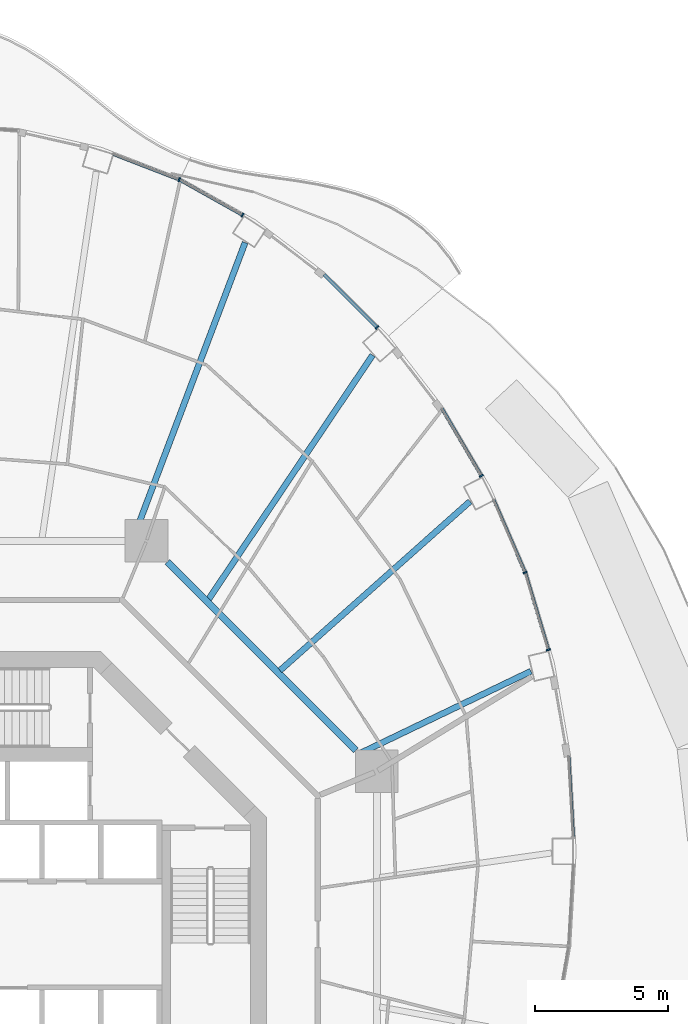
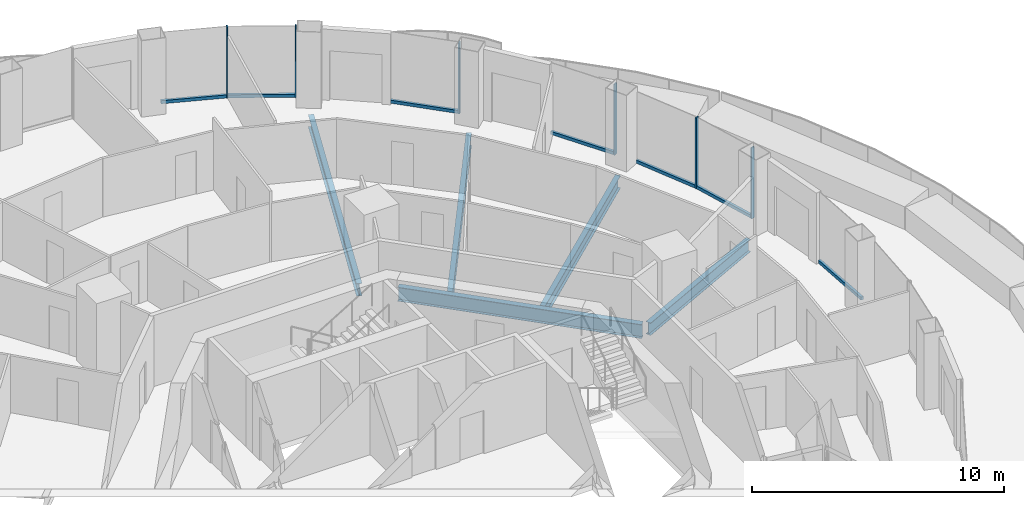
# One storey, part 7 of 18: 13 members, 5 beams, 7 elements without a shape of their own.
"""IFC4 building model written with IfcOpenShell, lengths in metres."""

from ifc_helpers import new_model, si_unit, direction, frame, origin, origin_2d, place, context, subcontext, project, spatial, rectangle, i_section, extrude, material, layer, layer_set, material_profile, profile_set, type_object, element, aggregate, save


model = new_model("IFC4")

# Units and contexts
model_context = context("Model", 3, precision=1e-05, world=origin(), true_north=direction((0.0, 1.0)))
body_context = subcontext(model_context, "Body", "Model", "MODEL_VIEW")
ifc_project = project(units=[si_unit("LENGTHUNIT", "METRE"), si_unit("AREAUNIT", "SQUARE_METRE"), si_unit("VOLUMEUNIT", "CUBIC_METRE"), si_unit("PLANEANGLEUNIT", "RADIAN"), si_unit("MASSUNIT", "GRAM", prefix="KILO")], contexts=[model_context])

# Site, building, storey
site_placement = place(None, origin())
site = spatial("IfcSite", under=ifc_project, at=site_placement, CompositionType="ELEMENT")
building_placement = place(site_placement, origin())
building = spatial("IfcBuilding", under=site, at=building_placement, Name="Nagisa Residences", CompositionType="ELEMENT")
storey_placement = place(building_placement, frame((0.0, 0.0, 212.199951171875)))
storey = spatial("IfcBuildingStorey", under=building, at=storey_placement, Name="L53", CompositionType="ELEMENT", Elevation=212.199951171875)

# Curtain wall, member
ifc_material_1 = material(Name="Concrete-coloured aluminium curtain wall system", Category="concrete")
ifc_layer = layer(ifc_material_1, 0.159912109375)
ifc_layer_set = layer_set([ifc_layer], Name="CW1 CURTAIN WALL")
curtain_wall_type = type_object("IfcCurtainWallType", Name="CW1 CURTAIN WALL", PredefinedType="NOTDEFINED", material=ifc_layer_set)
curtain_wall_1_placement = place(storey_placement, origin())
curtain_wall_1 = element("IfcCurtainWall", 1, at=curtain_wall_1_placement, inside=storey, type_object=curtain_wall_type, Name="cw:CW1:L53:02", PredefinedType="NOTDEFINED")
ifc_material_2 = material(Name="Concrete-coloured aluminium", Category="concrete")
ifc_material_profile_1 = material_profile(ifc_material_2, rectangle(XDim=0.159912109375, YDim=0.06005859375, at=origin_2d()), Name="CW1 MULLION 160x60")
ifc_profile_set_1 = profile_set([ifc_material_profile_1], Name="Concrete-coloured aluminium")
member_type_1 = type_object("IfcMemberType", Name="CW1 MULLION 160x60", PredefinedType="MULLION", material=ifc_profile_set_1)
member_1_placement = place(storey_placement, frame((21.2216796875, 10.691650390625, 0.0), z_axis=(0.0, 0.0, 1.0), x_axis=(-0.958271310082, -0.285860274038, 0.0)))
member_1 = element("IfcMember", 2, at=member_1_placement, type_object=member_type_1, Name="CW1 mullion", PredefinedType="MULLION", context=body_context, shape_type="SweptSolid", body=[
    extrude(rectangle(XDim=0.159912109375, YDim=0.06005859375, at=origin_2d()), origin(), (0.0, 0.0, 1.0), 3.43994140625),
])

curtain_wall_2_placement = place(storey_placement, origin())
curtain_wall_2 = element("IfcCurtainWall", 3, at=curtain_wall_2_placement, inside=storey, type_object=curtain_wall_type, Name="cw:CW1:L53:03", PredefinedType="NOTDEFINED")
member_2_placement = place(storey_placement, frame((20.3525390625, 13.59521484375, 0.0), z_axis=(0.0, 0.0, 1.0), x_axis=(-0.917543276295, -0.397635934147, 0.0)))
member_2 = element("IfcMember", 4, at=member_2_placement, type_object=member_type_1, Name="CW1 mullion", PredefinedType="MULLION", context=body_context, shape_type="SweptSolid", body=[
    extrude(rectangle(XDim=0.159912109375, YDim=0.06005859375, at=origin_2d()), origin(), (0.0, 0.0, 1.0), 3.43994140625),
])

curtain_wall_3_placement = place(storey_placement, origin())
curtain_wall_3 = element("IfcCurtainWall", 5, at=curtain_wall_3_placement, inside=storey, type_object=curtain_wall_type, Name="cw:CW1:L53:04", PredefinedType="NOTDEFINED")
member_3_placement = place(storey_placement, frame((18.707763671875, 17.229248046875, 0.0), z_axis=(0.0, 0.0, 1.0), x_axis=(-0.862328898214, -0.506348567002, 0.0)))
member_3 = element("IfcMember", 6, at=member_3_placement, type_object=member_type_1, Name="CW1 mullion", PredefinedType="MULLION", context=body_context, shape_type="SweptSolid", body=[
    extrude(rectangle(XDim=0.159912109375, YDim=0.06005859375, at=origin_2d()), origin(), (0.0, 0.0, 1.0), 3.43994140625),
])

curtain_wall_4_placement = place(storey_placement, origin())
curtain_wall_4 = element("IfcCurtainWall", 7, at=curtain_wall_4_placement, inside=storey, type_object=curtain_wall_type, Name="cw:CW1:L53:06", PredefinedType="NOTDEFINED")
member_4_placement = place(storey_placement, frame((14.788330078125, 22.802978515625, 0.0), z_axis=(0.0, 0.0, 1.0), x_axis=(-0.706376885714, -0.707835924016, 0.0)))
member_4 = element("IfcMember", 8, at=member_4_placement, type_object=member_type_1, Name="CW1 mullion", PredefinedType="MULLION", context=body_context, shape_type="SweptSolid", body=[
    extrude(rectangle(XDim=0.159912109375, YDim=0.06005859375, at=origin_2d()), origin(), (0.0, 0.0, 1.0), 3.43994140625),
])

curtain_wall_5_placement = place(storey_placement, origin())
curtain_wall_5 = element("IfcCurtainWall", 9, at=curtain_wall_5_placement, inside=storey, type_object=curtain_wall_type, Name="cw:CW1:L53:08", PredefinedType="NOTDEFINED")
member_5_placement = place(storey_placement, frame((9.733642578125, 27.02783203125, 0.0), z_axis=(0.0, 0.0, 1.0), x_axis=(-0.489376918501, -0.872072377523, 0.0)))
member_5 = element("IfcMember", 10, at=member_5_placement, type_object=member_type_1, Name="CW1 mullion", PredefinedType="MULLION", context=body_context, shape_type="SweptSolid", body=[
    extrude(rectangle(XDim=0.159912109375, YDim=0.06005859375, at=origin_2d()), origin(), (0.0, 0.0, 1.0), 3.43994140625),
])

curtain_wall_6_placement = place(storey_placement, origin())
curtain_wall_6 = element("IfcCurtainWall", 11, at=curtain_wall_6_placement, inside=storey, type_object=curtain_wall_type, Name="cw:CW1:L53:09", PredefinedType="NOTDEFINED")
member_6_placement = place(storey_placement, frame((7.3544921875, 28.35888671875, 0.0), z_axis=(0.0, 0.0, 1.0), x_axis=(-0.360327770268, -0.932825759707, 0.0)))
member_6 = element("IfcMember", 12, at=member_6_placement, type_object=member_type_1, Name="CW1 mullion", PredefinedType="MULLION", context=body_context, shape_type="SweptSolid", body=[
    extrude(rectangle(XDim=0.159912109375, YDim=0.06005859375, at=origin_2d()), origin(), (0.0, 0.0, 1.0), 3.43994140625),
])

curtain_wall_7_placement = place(storey_placement, origin())
curtain_wall_7 = element("IfcCurtainWall", 13, at=curtain_wall_7_placement, inside=storey, type_object=curtain_wall_type, Name="cw:CW1:L53:00", PredefinedType="NOTDEFINED")
ifc_material_3 = material(Name="Concrete-coloured aluminium", Category="concrete")
ifc_material_profile_2 = material_profile(ifc_material_3, rectangle(XDim=0.1201171875, YDim=0.14990234375, at=origin_2d()), Name="CW1 TRANSOM 120x150")
ifc_profile_set_2 = profile_set([ifc_material_profile_2], Name="Concrete-coloured aluminium")
member_type_2 = type_object("IfcMemberType", Name="CW1 TRANSOM 120x150", PredefinedType="USERDEFINED", material=ifc_profile_set_2)
member_7_placement = place(storey_placement, frame((22.161376953125, 3.6123046875, 0.074951171875), z_axis=(-0.057528189427, 0.998343882348, 0.0), x_axis=(-0.998343882348, -0.057528189427, 0.0)))
member_7 = element("IfcMember", 14, at=member_7_placement, type_object=member_type_2, Name="CW1 transom", ObjectType="TRANSOM", PredefinedType="USERDEFINED", context=body_context, shape_type="SweptSolid", body=[
    extrude(rectangle(XDim=0.1201171875, YDim=0.14990234375, at=origin_2d()), origin(), (0.0, 0.0, 1.0), 3.0810546875),
])
aggregate(curtain_wall_7, [member_7])

# Member
member_8_placement = place(storey_placement, frame((21.230224609375, 10.6630859375, 0.074951171875), z_axis=(-0.285881452443, 0.958264992134, 0.0), x_axis=(-0.958264992134, -0.285881452443, 0.0)))
member_8 = element("IfcMember", 15, at=member_8_placement, type_object=member_type_2, Name="CW1 transom", ObjectType="TRANSOM", PredefinedType="USERDEFINED", context=body_context, shape_type="SweptSolid", body=[
    extrude(rectangle(XDim=0.1201171875, YDim=0.14990234375, at=origin_2d()), origin(), (0.0, 0.0, 1.0), 3.040283203125),
])

aggregate(curtain_wall_1, [member_1, member_8])

member_9_placement = place(storey_placement, frame((20.3642578125, 13.567626953125, 0.074951171875), z_axis=(-0.397616567135, 0.917551669139, 0.0), x_axis=(-0.917551669139, -0.397616567135, 0.0)))
member_9 = element("IfcMember", 16, at=member_9_placement, type_object=member_type_2, Name="CW1 transom", ObjectType="TRANSOM", PredefinedType="USERDEFINED", context=body_context, shape_type="SweptSolid", body=[
    extrude(rectangle(XDim=0.1201171875, YDim=0.14990234375, at=origin_2d()), origin(), (0.0, 0.0, 1.0), 3.001953125),
])

aggregate(curtain_wall_2, [member_2, member_9])

member_10_placement = place(storey_placement, frame((18.72314453125, 17.203369140625, 0.074951171875), z_axis=(-0.5063555387, 0.862324804484, 0.0), x_axis=(-0.862324804484, -0.5063555387, 0.0)))
member_10 = element("IfcMember", 17, at=member_10_placement, type_object=member_type_2, Name="CW1 transom", ObjectType="TRANSOM", PredefinedType="USERDEFINED", context=body_context, shape_type="SweptSolid", body=[
    extrude(rectangle(XDim=0.1201171875, YDim=0.14990234375, at=origin_2d()), origin(), (0.0, 0.0, 1.0), 2.95458984375),
])

aggregate(curtain_wall_3, [member_3, member_10])

member_11_placement = place(storey_placement, frame((14.8095703125, 22.781982421875, 0.074951171875), z_axis=(-0.707836044127, 0.706376765356, 0.0), x_axis=(-0.706376765356, -0.707836044127, 0.0)))
member_11 = element("IfcMember", 18, at=member_11_placement, type_object=member_type_2, Name="CW1 transom", ObjectType="TRANSOM", PredefinedType="USERDEFINED", context=body_context, shape_type="SweptSolid", body=[
    extrude(rectangle(XDim=0.1201171875, YDim=0.14990234375, at=origin_2d()), origin(), (0.0, 0.0, 1.0), 2.84423828125),
])

aggregate(curtain_wall_4, [member_4, member_11])

member_12_placement = place(storey_placement, frame((9.759765625, 27.012939453125, 0.074951171875), z_axis=(-0.872041873719, 0.489431272479, 0.0), x_axis=(-0.489431272479, -0.872041873719, 0.0)))
member_12 = element("IfcMember", 19, at=member_12_placement, type_object=member_type_2, Name="CW1 transom", ObjectType="TRANSOM", PredefinedType="USERDEFINED", context=body_context, shape_type="SweptSolid", body=[
    extrude(rectangle(XDim=0.1201171875, YDim=0.14990234375, at=origin_2d()), origin(), (0.0, 0.0, 1.0), 2.738037109375),
])

aggregate(curtain_wall_5, [member_5, member_12])

member_13_placement = place(storey_placement, frame((7.38232421875, 28.34814453125, 0.074951171875), z_axis=(-0.932826499224, 0.360325855782, 0.0), x_axis=(-0.360325855782, -0.932826499224, 0.0)))
member_13 = element("IfcMember", 20, at=member_13_placement, type_object=member_type_2, Name="CW1 transom", ObjectType="TRANSOM", PredefinedType="USERDEFINED", context=body_context, shape_type="SweptSolid", body=[
    extrude(rectangle(XDim=0.1201171875, YDim=0.14990234375, at=origin_2d()), origin(), (0.0, 0.0, 1.0), 2.696044921875),
])

aggregate(curtain_wall_6, [member_6, member_13])

# Beams
ifc_material_4 = material(Name="Steel ASTM A572 Gr 50", Category="steel")
ifc_material_profile_3 = material_profile(ifc_material_4, i_section(OverallWidth=0.2529296875, OverallDepth=0.677978515625, WebThickness=0.01171875, FlangeThickness=0.016357421875, at=origin_2d()), Name="W690x125")
ifc_profile_set_3 = profile_set([ifc_material_profile_3], Name="Steel ASTM A572 Gr 50")
beam_type_1 = type_object("IfcBeamType", Name="Inner ring beam W690x125", PredefinedType="BEAM", material=ifc_profile_set_3)
beam_1_placement = place(storey_placement, frame((13.99609375, 6.90869140625, -0.598876953125), z_axis=(-0.707106781187, 0.707106781187, 0.0), x_axis=(-0.707106781187, -0.707106781187, 0.0)))
element("IfcBeam", 21, at=beam_1_placement, inside=storey, type_object=beam_type_1, Name="beam:L53:ib1", PredefinedType="BEAM", context=body_context, shape_type="SweptSolid", body=[
    extrude(i_section(OverallWidth=0.2529296875, OverallDepth=0.677978515625, WebThickness=0.01171875, FlangeThickness=0.016357421875, at=origin_2d()), origin(), (0.0, 0.0, 1.0), 10.023193359375),
])
ifc_material_5 = material(Name="Steel ASTM A572 Gr 50", Category="steel")
ifc_material_profile_4 = material_profile(ifc_material_5, i_section(OverallWidth=0.22802734375, OverallDepth=0.60302734375, WebThickness=0.010498046875, FlangeThickness=0.014892578125, at=origin_2d()), Name="W610x101")
ifc_profile_set_4 = profile_set([ifc_material_profile_4], Name="Steel ASTM A572 Gr 50")
beam_type_2 = type_object("IfcBeamType", Name="Radial beam W610x101", PredefinedType="BEAM", material=ifc_profile_set_4)
beam_2_placement = place(storey_placement, frame((20.569580078125, 9.886474609375, -0.5615234375), z_axis=(-0.901299536875, -0.433196427535, 0.0), x_axis=(0.433196427535, -0.901299536875, 0.0)))
element("IfcBeam", 22, at=beam_2_placement, inside=storey, type_object=beam_type_2, Name="beam:L53:rb02", PredefinedType="BEAM", context=body_context, shape_type="SweptSolid", body=[
    extrude(i_section(OverallWidth=0.22802734375, OverallDepth=0.60302734375, WebThickness=0.010498046875, FlangeThickness=0.014892578125, at=origin_2d()), origin(), (0.0, 0.0, 1.0), 7.04296875),
])
beam_3_placement = place(storey_placement, frame((18.279541015625, 16.2666015625, -0.5615234375), z_axis=(-0.747032819845, -0.664787158476, 0.0), x_axis=(0.664787158476, -0.747032819845, 0.0)))
element("IfcBeam", 23, at=beam_3_placement, inside=storey, type_object=beam_type_2, Name="beam:L53:rb03", PredefinedType="BEAM", context=body_context, shape_type="SweptSolid", body=[
    extrude(i_section(OverallWidth=0.22802734375, OverallDepth=0.60302734375, WebThickness=0.010498046875, FlangeThickness=0.014892578125, at=origin_2d()), origin(), (0.0, 0.0, 1.0), 9.555419921875),
])
beam_4_placement = place(storey_placement, frame((14.6181640625, 21.761962890625, -0.5615234375), z_axis=(-0.557610076733, -0.830103007058, 0.0), x_axis=(0.830103007058, -0.557610076733, 0.0)))
element("IfcBeam", 24, at=beam_4_placement, inside=storey, type_object=beam_type_2, Name="beam:L53:rb04", PredefinedType="BEAM", context=body_context, shape_type="SweptSolid", body=[
    extrude(i_section(OverallWidth=0.22802734375, OverallDepth=0.60302734375, WebThickness=0.010498046875, FlangeThickness=0.014892578125, at=origin_2d()), origin(), (0.0, 0.0, 1.0), 11.042724609375),
])
beam_5_placement = place(storey_placement, frame((9.8291015625, 25.992431640625, -0.5615234375), z_axis=(-0.353709737663, -0.935355238122, 0.0), x_axis=(0.935355238122, -0.353709737663, 0.0)))
element("IfcBeam", 25, at=beam_5_placement, inside=storey, type_object=beam_type_2, Name="beam:L53:rb05", PredefinedType="BEAM", context=body_context, shape_type="SweptSolid", body=[
    extrude(i_section(OverallWidth=0.22802734375, OverallDepth=0.60302734375, WebThickness=0.010498046875, FlangeThickness=0.014892578125, at=origin_2d()), origin(), (0.0, 0.0, 1.0), 11.869873046875),
])

save(model, "model.ifc")
